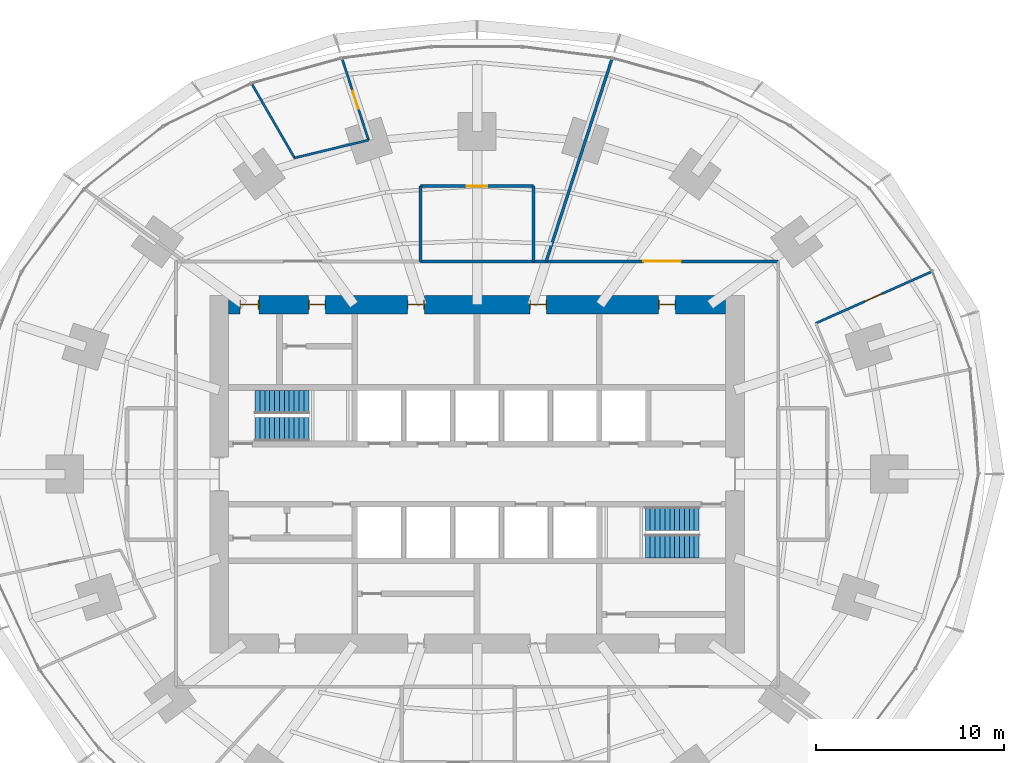
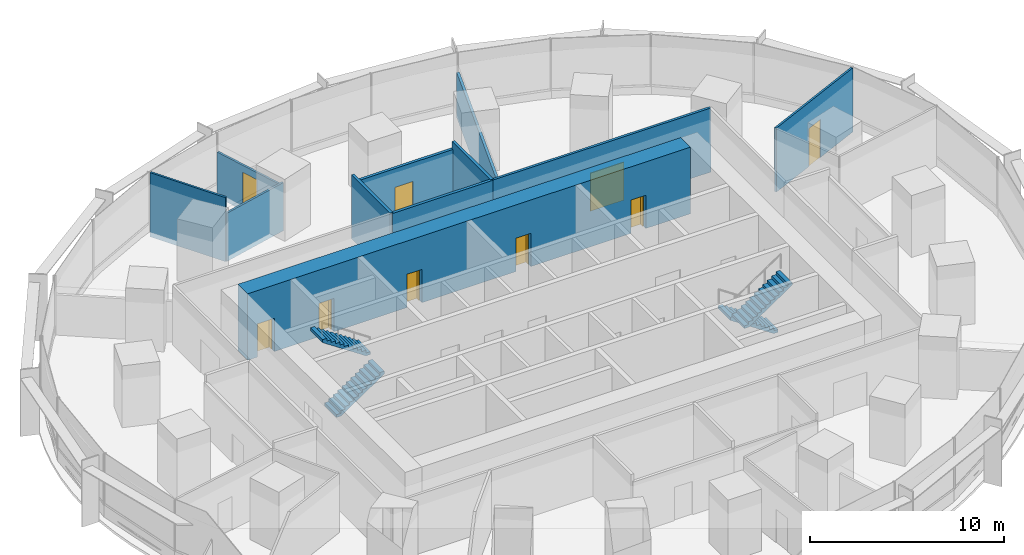
# One storey, part 13 of 15: 11 walls, 9 doors, 4 stair flights, 9 openings, 2 elements without a shape of their own.
"""IFC4 building model written with IfcOpenShell, lengths in metres."""

from ifc_helpers import new_model, si_unit, direction, frame, frame_2d, origin, place, context, subcontext, project, spatial, polyline, rectangle, outline, extrude, material, layer, layer_set, type_object, element, fill, aggregate, save


model = new_model("IFC4")

# Units and contexts
model_context = context("Model", 3, precision=1e-05, world=origin(), true_north=direction((0.0, 1.0)))
body_context = subcontext(model_context, "Body", "Model", "MODEL_VIEW")
ifc_project = project(units=[si_unit("LENGTHUNIT", "METRE"), si_unit("AREAUNIT", "SQUARE_METRE"), si_unit("VOLUMEUNIT", "CUBIC_METRE"), si_unit("PLANEANGLEUNIT", "RADIAN"), si_unit("MASSUNIT", "GRAM", prefix="KILO")], contexts=[model_context])

# Site, building, storey
site_placement = place(None, origin())
site = spatial("IfcSite", under=ifc_project, at=site_placement, CompositionType="ELEMENT")
building_placement = place(site_placement, origin())
building = spatial("IfcBuilding", under=site, at=building_placement, Name="Marramba Exchange Tower", CompositionType="ELEMENT")
storey_placement = place(building_placement, frame((0.0, 0.0, 70.0)))
storey = spatial("IfcBuildingStorey", under=building, at=storey_placement, Name="L16", CompositionType="ELEMENT", Elevation=70.0)

# Walls
ifc_material_1 = material(Name="Plasterboard on staggered double steel studs, acoustic insulation", Category="steel")
ifc_layer_1 = layer(ifc_material_1, 0.169921875)
ifc_layer_set_1 = layer_set([ifc_layer_1], Name="Acoustic partition 170")
wall_type_1 = type_object("IfcWallType", Name="Acoustic partition 170", PredefinedType="PARTITIONING", material=ifc_layer_set_1)
wall_1_placement = place(storey_placement, frame((3.0, 11.300048828125, 0.0), z_axis=(0.0, 0.0, 1.0), x_axis=(0.0, 1.0, 0.0)))
element("IfcWall", 1, at=wall_1_placement, inside=storey, type_object=wall_type_1, Name="Acoustic partition L16 30", PredefinedType="PARTITIONING", context=body_context, shape_type="SweptSolid", body=[
    extrude(rectangle(XDim=4.0, YDim=0.169921875, at=frame_2d((2.0, 0.0))), origin(), (0.0, 0.0, 1.0), 4.0400390625),
])
wall_2_placement = place(storey_placement, frame((-3.0, 11.300048828125, 0.0), z_axis=(0.0, 0.0, 1.0), x_axis=(1.0, 0.0, 0.0)))
element("IfcWall", 2, at=wall_2_placement, inside=storey, type_object=wall_type_1, Name="Acoustic partition L16 31", PredefinedType="PARTITIONING", context=body_context, shape_type="SweptSolid", body=[
    extrude(rectangle(XDim=6.0, YDim=0.169921875, at=frame_2d((3.0, 0.0))), origin(), (0.0, 0.0, 1.0), 4.0400390625),
])

# Wall, opening, door
wall_3_placement = place(storey_placement, frame((3.0, 15.300048828125, 0.0), z_axis=(0.0, 0.0, 1.0), x_axis=(-1.0, 0.0, 0.0)))
wall_3 = element("IfcWall", 3, at=wall_3_placement, inside=storey, type_object=wall_type_1, Name="Acoustic partition L16 32", PredefinedType="PARTITIONING", context=body_context, shape_type="SweptSolid", body=[
    extrude(rectangle(XDim=6.0, YDim=0.169921875, at=frame_2d((3.0, 0.0))), origin(), (0.0, 0.0, 1.0), 3.5859375),
])
opening_1_placement = place(wall_3_placement, frame((2.449951171875, 0.0, 0.0)))
opening_1 = element("IfcOpeningElement", 4, at=opening_1_placement, cuts=wall_3, Name="Opening D15", PredefinedType="OPENING", context=body_context, shape_type="SweptSolid", body=[
    extrude(rectangle(XDim=1.10009765625, YDim=2.39990234375, at=frame_2d((0.550048828125, 1.199951171875))), frame((0.0, 0.094970703125, 0.0), z_axis=(0.0, -1.0, 0.0), x_axis=(1.0, 0.0, 0.0)), (0.0, 0.0, 1.0), 0.18994140625),
])
ifc_material_2 = material(Name="Timber door", Category="wood")
door_type_1 = type_object("IfcDoorType", Name="Glazed meeting room door 1100x2400", OperationType="SINGLE_SWING_LEFT", PredefinedType="DOOR", material=ifc_material_2)
door_1_placement = place(opening_1_placement, origin())
door_1 = element("IfcDoor", 5, at=door_1_placement, inside=storey, type_object=door_type_1, Name="D15 Meeting Room 1 L16", OperationType="SINGLE_SWING_RIGHT", OverallHeight=2.39990234375, OverallWidth=1.10009765625, PredefinedType="DOOR", context=body_context, shape_type="SweptSolid", body=[
    extrude(rectangle(XDim=1.10009765625, YDim=2.39990234375, at=frame_2d((0.550048828125, 1.199951171875))), frame((0.0, 0.02490234375, 0.0), z_axis=(0.0, -1.0, 0.0), x_axis=(1.0, 0.0, 0.0)), (0.0, 0.0, 1.0), 0.050048828125),
])
fill(opening_1, door_1)

# Wall
wall_4_placement = place(storey_placement, frame((-3.0, 15.300048828125, 0.0), z_axis=(0.0, 0.0, 1.0), x_axis=(0.0, -1.0, 0.0)))
element("IfcWall", 6, at=wall_4_placement, inside=storey, type_object=wall_type_1, Name="Acoustic partition L16 33", PredefinedType="PARTITIONING", context=body_context, shape_type="SweptSolid", body=[
    extrude(rectangle(XDim=4.0, YDim=0.169921875, at=frame_2d((2.0, 0.0))), origin(), (0.0, 0.0, 1.0), 4.0400390625),
])

# Wall, openings, doors
ifc_material_3 = material(Name="Concrete N50", Category="concrete")
ifc_layer_2 = layer(ifc_material_3, 1.0)
ifc_layer_set_2 = layer_set([ifc_layer_2], Name="Core wall 1000")
wall_type_2 = type_object("IfcWallType", Name="Core wall 1000", PredefinedType="SHEAR", material=ifc_layer_set_2)
wall_5_placement = place(storey_placement, frame((13.199951171875, 9.0, 0.0), z_axis=(0.0, 0.0, 1.0), x_axis=(-1.0, 0.0, 0.0)))
wall_5 = element("IfcWall", 7, at=wall_5_placement, inside=storey, type_object=wall_type_2, Name="Core wall N L16", PredefinedType="SHEAR", context=body_context, shape_type="SweptSolid", body=[
    extrude(rectangle(XDim=26.39990234375, YDim=1.0, at=frame_2d((13.199951171875, 0.0))), origin(), (0.0, 0.0, 1.0), 4.199951171875),
])
opening_2_placement = place(wall_5_placement, frame((2.64990234375, 0.0, 0.0)))
opening_2 = element("IfcOpeningElement", 8, at=opening_2_placement, cuts=wall_5, Name="Opening D5", PredefinedType="OPENING", context=body_context, shape_type="SweptSolid", body=[
    extrude(rectangle(XDim=0.89990234375, YDim=2.10009765625, at=frame_2d((0.449951171875, 1.050048828125))), frame((0.0, 0.510009765625, 0.0), z_axis=(0.0, -1.0, 0.0), x_axis=(1.0, 0.0, 0.0)), (0.0, 0.0, 1.0), 1.02001953125),
])
opening_3_placement = place(wall_5_placement, frame((9.5, 0.0, 0.0)))
opening_3 = element("IfcOpeningElement", 9, at=opening_3_placement, cuts=wall_5, Name="Opening D3", PredefinedType="OPENING", context=body_context, shape_type="SweptSolid", body=[
    extrude(rectangle(XDim=0.89990234375, YDim=2.10009765625, at=frame_2d((0.449951171875, 1.050048828125))), frame((0.0, 0.510009765625, 0.0), z_axis=(0.0, -1.0, 0.0), x_axis=(1.0, 0.0, 0.0)), (0.0, 0.0, 1.0), 1.02001953125),
])
opening_4_placement = place(wall_5_placement, frame((16.0, 0.0, 0.0)))
opening_4 = element("IfcOpeningElement", 10, at=opening_4_placement, cuts=wall_5, Name="Opening D3", PredefinedType="OPENING", context=body_context, shape_type="SweptSolid", body=[
    extrude(rectangle(XDim=0.89990234375, YDim=2.10009765625, at=frame_2d((0.449951171875, 1.050048828125))), frame((0.0, 0.510009765625, 0.0), z_axis=(0.0, -1.0, 0.0), x_axis=(1.0, 0.0, 0.0)), (0.0, 0.0, 1.0), 1.02001953125),
])
opening_5_placement = place(wall_5_placement, frame((21.25, 0.0, 0.0)))
opening_5 = element("IfcOpeningElement", 11, at=opening_5_placement, cuts=wall_5, Name="Opening D5", PredefinedType="OPENING", context=body_context, shape_type="SweptSolid", body=[
    extrude(rectangle(XDim=0.89990234375, YDim=2.10009765625, at=frame_2d((0.449951171875, 1.050048828125))), frame((0.0, 0.510009765625, 0.0), z_axis=(0.0, -1.0, 0.0), x_axis=(1.0, 0.0, 0.0)), (0.0, 0.0, 1.0), 1.02001953125),
])
opening_6_placement = place(wall_5_placement, frame((24.800048828125, 0.0, 0.0)))
opening_6 = element("IfcOpeningElement", 12, at=opening_6_placement, cuts=wall_5, Name="Opening D4", PredefinedType="OPENING", context=body_context, shape_type="SweptSolid", body=[
    extrude(rectangle(XDim=1.0, YDim=2.10009765625, at=frame_2d((0.5, 1.050048828125))), frame((0.0, 0.510009765625, 0.0), z_axis=(0.0, -1.0, 0.0), x_axis=(1.0, 0.0, 0.0)), (0.0, 0.0, 1.0), 1.02001953125),
])
ifc_material_4 = material(Name="Steel-framed door", Category="steel")
door_type_2 = type_object("IfcDoorType", Name="Accessible toilet door 1000x2100", OperationType="SINGLE_SWING_LEFT", PredefinedType="DOOR", material=ifc_material_4)
door_2_placement = place(opening_6_placement, origin())
door_2 = element("IfcDoor", 13, at=door_2_placement, inside=storey, type_object=door_type_2, Name="D4 awc L16", OperationType="SINGLE_SWING_RIGHT", OverallHeight=2.10009765625, OverallWidth=1.0, PredefinedType="DOOR", context=body_context, shape_type="SweptSolid", body=[
    extrude(rectangle(XDim=0.919921875, YDim=2.06005859375, at=frame_2d((0.5, 1.030029296875))), frame((0.0, 0.02490234375, 0.0), z_axis=(0.0, -1.0, 0.0), x_axis=(1.0, 0.0, 0.0)), (0.0, 0.0, 1.0), 0.050048828125),
    extrude(rectangle(XDim=0.04, YDim=2.10009765625, at=frame_2d((0.02001953125, 1.050048828125))), frame((0.0, 0.25, 0.0), z_axis=(0.0, -1.0, 0.0), x_axis=(1.0, 0.0, 0.0)), (0.0, 0.0, 1.0), 0.5),
    extrude(rectangle(XDim=0.04, YDim=2.10009765625, at=frame_2d((0.97998046875, 1.050048828125))), frame((0.0, 0.25, 0.0), z_axis=(0.0, -1.0, 0.0), x_axis=(1.0, 0.0, 0.0)), (0.0, 0.0, 1.0), 0.5),
    extrude(rectangle(XDim=0.919921875, YDim=0.04, at=frame_2d((0.5, 2.080078125))), frame((0.0, 0.25, 0.0), z_axis=(0.0, -1.0, 0.0), x_axis=(1.0, 0.0, 0.0)), (0.0, 0.0, 1.0), 0.5),
])
fill(opening_6, door_2)
door_type_3 = type_object("IfcDoorType", Name="Service door 900x2100", OperationType="SINGLE_SWING_LEFT", PredefinedType="DOOR", material=ifc_material_4)
door_3_placement = place(opening_2_placement, origin())
door_3 = element("IfcDoor", 14, at=door_3_placement, inside=storey, type_object=door_type_3, Name="D5 comms L16", OperationType="SINGLE_SWING_LEFT", OverallHeight=2.10009765625, OverallWidth=0.89990234375, PredefinedType="DOOR", context=body_context, shape_type="SweptSolid", body=[
    extrude(rectangle(XDim=0.81982421875, YDim=2.06005859375, at=frame_2d((0.449951171875, 1.030029296875))), frame((0.0, 0.02490234375, 0.0), z_axis=(0.0, -1.0, 0.0), x_axis=(1.0, 0.0, 0.0)), (0.0, 0.0, 1.0), 0.050048828125),
    extrude(rectangle(XDim=0.04, YDim=2.10009765625, at=frame_2d((0.02001953125, 1.050048828125))), frame((0.0, 0.25, 0.0), z_axis=(0.0, -1.0, 0.0), x_axis=(1.0, 0.0, 0.0)), (0.0, 0.0, 1.0), 0.5),
    extrude(rectangle(XDim=0.04, YDim=2.10009765625, at=frame_2d((0.8798828125, 1.050048828125))), frame((0.0, 0.25, 0.0), z_axis=(0.0, -1.0, 0.0), x_axis=(1.0, 0.0, 0.0)), (0.0, 0.0, 1.0), 0.5),
    extrude(rectangle(XDim=0.81982421875, YDim=0.04, at=frame_2d((0.449951171875, 2.080078125))), frame((0.0, 0.25, 0.0), z_axis=(0.0, -1.0, 0.0), x_axis=(1.0, 0.0, 0.0)), (0.0, 0.0, 1.0), 0.5),
])
fill(opening_2, door_3)
door_4_placement = place(opening_5_placement, origin())
door_4 = element("IfcDoor", 15, at=door_4_placement, inside=storey, type_object=door_type_3, Name="D5 cleaner L16", OperationType="SINGLE_SWING_RIGHT", OverallHeight=2.10009765625, OverallWidth=0.89990234375, PredefinedType="DOOR", context=body_context, shape_type="SweptSolid", body=[
    extrude(rectangle(XDim=0.81982421875, YDim=2.06005859375, at=frame_2d((0.449951171875, 1.030029296875))), frame((0.0, 0.02490234375, 0.0), z_axis=(0.0, -1.0, 0.0), x_axis=(1.0, 0.0, 0.0)), (0.0, 0.0, 1.0), 0.050048828125),
    extrude(rectangle(XDim=0.04, YDim=2.10009765625, at=frame_2d((0.02001953125, 1.050048828125))), frame((0.0, 0.25, 0.0), z_axis=(0.0, -1.0, 0.0), x_axis=(1.0, 0.0, 0.0)), (0.0, 0.0, 1.0), 0.5),
    extrude(rectangle(XDim=0.04, YDim=2.10009765625, at=frame_2d((0.8798828125, 1.050048828125))), frame((0.0, 0.25, 0.0), z_axis=(0.0, -1.0, 0.0), x_axis=(1.0, 0.0, 0.0)), (0.0, 0.0, 1.0), 0.5),
    extrude(rectangle(XDim=0.81982421875, YDim=0.04, at=frame_2d((0.449951171875, 2.080078125))), frame((0.0, 0.25, 0.0), z_axis=(0.0, -1.0, 0.0), x_axis=(1.0, 0.0, 0.0)), (0.0, 0.0, 1.0), 0.5),
])
fill(opening_5, door_4)
door_type_4 = type_object("IfcDoorType", Name="Toilet door 900x2100", OperationType="SINGLE_SWING_LEFT", PredefinedType="DOOR", material=ifc_material_4)
door_5_placement = place(opening_3_placement, origin())
door_5 = element("IfcDoor", 16, at=door_5_placement, inside=storey, type_object=door_type_4, Name="D3 wc-f L16", OperationType="SINGLE_SWING_RIGHT", OverallHeight=2.10009765625, OverallWidth=0.89990234375, PredefinedType="DOOR", context=body_context, shape_type="SweptSolid", body=[
    extrude(rectangle(XDim=0.81982421875, YDim=2.06005859375, at=frame_2d((0.449951171875, 1.030029296875))), frame((0.0, 0.02490234375, 0.0), z_axis=(0.0, -1.0, 0.0), x_axis=(1.0, 0.0, 0.0)), (0.0, 0.0, 1.0), 0.050048828125),
    extrude(rectangle(XDim=0.04, YDim=2.10009765625, at=frame_2d((0.02001953125, 1.050048828125))), frame((0.0, 0.25, 0.0), z_axis=(0.0, -1.0, 0.0), x_axis=(1.0, 0.0, 0.0)), (0.0, 0.0, 1.0), 0.5),
    extrude(rectangle(XDim=0.04, YDim=2.10009765625, at=frame_2d((0.8798828125, 1.050048828125))), frame((0.0, 0.25, 0.0), z_axis=(0.0, -1.0, 0.0), x_axis=(1.0, 0.0, 0.0)), (0.0, 0.0, 1.0), 0.5),
    extrude(rectangle(XDim=0.81982421875, YDim=0.04, at=frame_2d((0.449951171875, 2.080078125))), frame((0.0, 0.25, 0.0), z_axis=(0.0, -1.0, 0.0), x_axis=(1.0, 0.0, 0.0)), (0.0, 0.0, 1.0), 0.5),
])
fill(opening_3, door_5)
door_6_placement = place(opening_4_placement, origin())
door_6 = element("IfcDoor", 17, at=door_6_placement, inside=storey, type_object=door_type_4, Name="D3 wc-m L16", OperationType="SINGLE_SWING_RIGHT", OverallHeight=2.10009765625, OverallWidth=0.89990234375, PredefinedType="DOOR", context=body_context, shape_type="SweptSolid", body=[
    extrude(rectangle(XDim=0.81982421875, YDim=2.06005859375, at=frame_2d((0.449951171875, 1.030029296875))), frame((0.0, 0.02490234375, 0.0), z_axis=(0.0, -1.0, 0.0), x_axis=(1.0, 0.0, 0.0)), (0.0, 0.0, 1.0), 0.050048828125),
    extrude(rectangle(XDim=0.04, YDim=2.10009765625, at=frame_2d((0.02001953125, 1.050048828125))), frame((0.0, 0.25, 0.0), z_axis=(0.0, -1.0, 0.0), x_axis=(1.0, 0.0, 0.0)), (0.0, 0.0, 1.0), 0.5),
    extrude(rectangle(XDim=0.04, YDim=2.10009765625, at=frame_2d((0.8798828125, 1.050048828125))), frame((0.0, 0.25, 0.0), z_axis=(0.0, -1.0, 0.0), x_axis=(1.0, 0.0, 0.0)), (0.0, 0.0, 1.0), 0.5),
    extrude(rectangle(XDim=0.81982421875, YDim=0.04, at=frame_2d((0.449951171875, 2.080078125))), frame((0.0, 0.25, 0.0), z_axis=(0.0, -1.0, 0.0), x_axis=(1.0, 0.0, 0.0)), (0.0, 0.0, 1.0), 0.5),
])
fill(opening_4, door_6)

# Wall, opening, door
ifc_material_5 = material(Name="Plasterboard on steel studs", Category="steel")
ifc_layer_3 = layer(ifc_material_5, 0.1201171875)
ifc_layer_set_3 = layer_set([ifc_layer_3], Name="Partition 120")
wall_type_3 = type_object("IfcWallType", Name="Partition 120", PredefinedType="PARTITIONING", material=ifc_layer_set_3)
wall_6_placement = place(storey_placement, frame((24.12353515625, 10.740478515625, 0.0), z_axis=(0.0, 0.0, 1.0), x_axis=(-0.91354990356, -0.406726657235, 0.0)))
wall_6 = element("IfcWall", 18, at=wall_6_placement, inside=storey, type_object=wall_type_3, Name="Partition L16 26", PredefinedType="PARTITIONING", context=body_context, shape_type="SweptSolid", body=[
    extrude(rectangle(XDim=6.699951171875, YDim=0.1201171875, at=frame_2d((3.35009765625, 0.0))), origin(), (0.0, 0.0, 1.0), 4.0400390625),
])
opening_7_placement = place(wall_6_placement, frame((2.85009765625, 0.0, 0.0)))
opening_7 = element("IfcOpeningElement", 19, at=opening_7_placement, cuts=wall_6, Name="Opening D9", PredefinedType="OPENING", context=body_context, shape_type="SweptSolid", body=[
    extrude(rectangle(XDim=1.0, YDim=2.39990234375, at=frame_2d((0.5, 1.199951171875))), frame((0.0, 0.070068359375, 0.0), z_axis=(0.0, -1.0, 0.0), x_axis=(1.0, 0.0, 0.0)), (0.0, 0.0, 1.0), 0.14013671875),
])
door_type_5 = type_object("IfcDoorType", Name="Room door 1000x2400", OperationType="SINGLE_SWING_LEFT", PredefinedType="DOOR", material=ifc_material_2)
door_7_placement = place(opening_7_placement, origin())
door_7 = element("IfcDoor", 20, at=door_7_placement, inside=storey, type_object=door_type_5, Name="D9 Firm Principal Office 4 L16", OperationType="SINGLE_SWING_RIGHT", OverallHeight=2.39990234375, OverallWidth=1.0, PredefinedType="DOOR", context=body_context, shape_type="SweptSolid", body=[
    extrude(rectangle(XDim=1.0, YDim=2.39990234375, at=frame_2d((0.5, 1.199951171875))), frame((0.0, 0.02490234375, 0.0), z_axis=(0.0, -1.0, 0.0), x_axis=(1.0, 0.0, 0.0)), (0.0, 0.0, 1.0), 0.050048828125),
])
fill(opening_7, door_7)

wall_7_placement = place(storey_placement, frame((-5.76611328125, 17.74658203125, 0.0), z_axis=(0.0, 0.0, 1.0), x_axis=(-0.309024734286, 0.951054001411, 0.0)))
wall_7 = element("IfcWall", 21, at=wall_7_placement, inside=storey, type_object=wall_type_3, Name="Partition L16 34", PredefinedType="PARTITIONING", context=body_context, shape_type="SweptSolid", body=[
    extrude(rectangle(XDim=4.5, YDim=0.1201171875, at=frame_2d((2.25, 0.0))), origin(), (0.0, 0.0, 1.0), 2.840087890625),
])
opening_8_placement = place(wall_7_placement, frame((1.75, 0.0, 0.0)))
opening_8 = element("IfcOpeningElement", 22, at=opening_8_placement, cuts=wall_7, Name="Opening D9", PredefinedType="OPENING", context=body_context, shape_type="SweptSolid", body=[
    extrude(rectangle(XDim=1.0, YDim=2.39990234375, at=frame_2d((0.5, 1.199951171875))), frame((0.0, 0.070068359375, 0.0), z_axis=(0.0, -1.0, 0.0), x_axis=(1.0, 0.0, 0.0)), (0.0, 0.0, 1.0), 0.14013671875),
])
door_8_placement = place(opening_8_placement, origin())
door_8 = element("IfcDoor", 23, at=door_8_placement, inside=storey, type_object=door_type_5, Name="D9 Firm Principal Office 1 L16", OperationType="SINGLE_SWING_LEFT", OverallHeight=2.39990234375, OverallWidth=1.0, PredefinedType="DOOR", context=body_context, shape_type="SweptSolid", body=[
    extrude(rectangle(XDim=1.0, YDim=2.39990234375, at=frame_2d((0.5, 1.199951171875))), frame((0.0, 0.02490234375, 0.0), z_axis=(0.0, -1.0, 0.0), x_axis=(1.0, 0.0, 0.0)), (0.0, 0.0, 1.0), 0.050048828125),
])
fill(opening_8, door_8)

# Walls
wall_8_placement = place(storey_placement, frame((-9.69921875, 16.7998046875, 0.0), z_axis=(0.0, 0.0, 1.0), x_axis=(0.972228214525, 0.23403482408, 0.0)))
element("IfcWall", 24, at=wall_8_placement, inside=storey, type_object=wall_type_3, Name="Partition L16 35", PredefinedType="PARTITIONING", context=body_context, shape_type="SweptSolid", body=[
    extrude(rectangle(XDim=4.04541015625, YDim=0.1201171875, at=frame_2d((2.022705078125, 0.0))), origin(), (0.0, 0.0, 1.0), 3.0400390625),
])
wall_9_placement = place(storey_placement, frame((-11.94921875, 20.69677734375, 0.0), z_axis=(0.0, 0.0, 1.0), x_axis=(0.500013631625, -0.866017533419, 0.0)))
element("IfcWall", 25, at=wall_9_placement, inside=storey, type_object=wall_type_3, Name="Partition L16 36", PredefinedType="PARTITIONING", context=body_context, shape_type="SweptSolid", body=[
    extrude(rectangle(XDim=4.499755859375, YDim=0.1201171875, at=frame_2d((2.25, 0.0))), origin(), (0.0, 0.0, 1.0), 4.0400390625),
])

# Wall, opening, door
ifc_material_6 = material(Name="Fire-rated plasterboard on steel studs, acoustic insulation", Category="steel")
ifc_layer_4 = layer(ifc_material_6, 0.14990234375)
ifc_layer_set_4 = layer_set([ifc_layer_4], Name="Tenancy wall 150")
wall_type_4 = type_object("IfcWallType", Name="Tenancy wall 150", PredefinedType="PARTITIONING", material=ifc_layer_set_4)
wall_10_placement = place(storey_placement, frame((16.0, 11.300048828125, 0.0), z_axis=(0.0, 0.0, 1.0), x_axis=(-1.0, 0.0, 0.0)))
wall_10 = element("IfcWall", 26, at=wall_10_placement, inside=storey, type_object=wall_type_4, Name="Tenancy wall L16 28", PredefinedType="PARTITIONING", context=body_context, shape_type="SweptSolid", body=[
    extrude(rectangle(XDim=13.0, YDim=0.14990234375, at=frame_2d((6.5, 0.0))), origin(), (0.0, 0.0, 1.0), 4.0400390625),
])
opening_9_placement = place(wall_10_placement, frame((5.1640625, 0.0, 0.0)))
opening_9 = element("IfcOpeningElement", 27, at=opening_9_placement, cuts=wall_10, Name="Opening D17", PredefinedType="OPENING", context=body_context, shape_type="SweptSolid", body=[
    extrude(rectangle(XDim=2.0, YDim=2.39990234375, at=frame_2d((1.0, 1.199951171875))), frame((0.0, 0.0849609375, 0.0), z_axis=(0.0, -1.0, 0.0), x_axis=(1.0, 0.0, 0.0)), (0.0, 0.0, 1.0), 0.169921875),
])
door_type_6 = type_object("IfcDoorType", Name="Trading floor entry door pair 2000x2400", OperationType="DOUBLE_DOOR_SINGLE_SWING", PredefinedType="DOOR", material=ifc_material_4)
door_9_placement = place(opening_9_placement, origin())
door_9 = element("IfcDoor", 28, at=door_9_placement, inside=storey, type_object=door_type_6, Name="D17 Trading Floor 4 L16", OperationType="DOUBLE_DOOR_SINGLE_SWING", OverallHeight=2.39990234375, OverallWidth=2.0, PredefinedType="DOOR", context=body_context, shape_type="SweptSolid", body=[
    extrude(rectangle(XDim=2.0, YDim=2.39990234375, at=frame_2d((1.0, 1.199951171875))), frame((0.0, 0.02490234375, 0.0), z_axis=(0.0, -1.0, 0.0), x_axis=(1.0, 0.0, 0.0)), (0.0, 0.0, 1.0), 0.050048828125),
])
fill(opening_9, door_9)

# Wall
wall_11_placement = place(storey_placement, frame((7.15673828125, 22.0263671875, 0.0), z_axis=(0.0, 0.0, 1.0), x_axis=(-0.309010203018, -0.951058722914, 0.0)))
element("IfcWall", 29, at=wall_11_placement, inside=storey, type_object=wall_type_4, Name="Tenancy wall L16 29", PredefinedType="PARTITIONING", context=body_context, shape_type="SweptSolid", body=[
    extrude(rectangle(XDim=11.2783203125, YDim=0.14990234375, at=frame_2d((5.63916015625, 0.0))), origin(), (0.0, 0.0, 1.0), 2.840087890625),
])

# Stair, stair flights
ifc_material_7 = material(Name="Concrete N40 (40 MPa)", Category="concrete")
stair_type_1 = type_object("IfcStairType", Name="Exit stair ST1 4200 x 1250", PredefinedType="HALF_TURN_STAIR", material=ifc_material_7)
stair_1_placement = place(storey_placement, origin())
stair_1 = element("IfcStair", 30, at=stair_1_placement, inside=storey, type_object=stair_type_1, Name="Exit stair ST1 L16", PredefinedType="HALF_TURN_STAIR")
stair_flight_type_1 = type_object("IfcStairFlightType", Name="ST1 stair flight 1750 riser 1250 wide", PredefinedType="STRAIGHT", material=ifc_material_7)
stair_flight_1_placement = place(storey_placement, frame((-11.800048828125, 2.375, 0.0), z_axis=(0.0, 0.0, 1.0), x_axis=(1.0, 0.0, 0.0)))
stair_flight_1 = element("IfcStairFlight", 31, at=stair_flight_1_placement, type_object=stair_flight_type_1, Name="ST1 flight 1", NumberOfRisers=12, NumberOfTreads=11, PredefinedType="STRAIGHT", RiserHeight=0.175, TreadLength=0.26, context=body_context, shape_type="SweptSolid", body=[
    extrude(outline(polyline([(0.0, 0.0), (0.0, 0.175048828125), (0.260009765625, 0.175048828125), (0.260009765625, 0.35009765625), (0.52001953125, 0.35009765625), (0.52001953125, 0.52490234375), (0.780029296875, 0.52490234375), (0.780029296875, 0.699951171875), (1.0400390625, 0.699951171875), (1.0400390625, 0.875), (1.300048828125, 0.875), (1.300048828125, 1.050048828125), (1.56005859375, 1.050048828125), (1.56005859375, 1.22509765625), (1.820068359375, 1.22509765625), (1.820068359375, 1.39990234375), (2.080078125, 1.39990234375), (2.080078125, 1.574951171875), (2.340087890625, 1.574951171875), (2.340087890625, 1.75), (2.60009765625, 1.75), (2.60009765625, 1.925048828125), (2.860107421875, 1.925048828125), (2.860107421875, 2.10009765625), (2.860107421875, 1.744384765625), (0.2685546875, 0.0), (0.0, 0.0)])), frame((0.0, 0.625, 0.0), z_axis=(0.0, -1.0, 0.0), x_axis=(1.0, 0.0, 0.0)), (0.0, 0.0, 1.0), 1.25),
])
stair_flight_2_placement = place(storey_placement, frame((-8.93994140625, 3.824951171875, 2.10009765625), z_axis=(0.0, 0.0, 1.0), x_axis=(-1.0, 0.0, 0.0)))
stair_flight_2 = element("IfcStairFlight", 32, at=stair_flight_2_placement, type_object=stair_flight_type_1, Name="ST1 flight 2", NumberOfRisers=12, NumberOfTreads=11, PredefinedType="STRAIGHT", RiserHeight=0.175, TreadLength=0.26, context=body_context, shape_type="SweptSolid", body=[
    extrude(outline(polyline([(0.0, 0.0), (0.0, 0.175048828125), (0.260009765625, 0.175048828125), (0.260009765625, 0.35009765625), (0.52001953125, 0.35009765625), (0.52001953125, 0.52490234375), (0.780029296875, 0.52490234375), (0.780029296875, 0.699951171875), (1.0400390625, 0.699951171875), (1.0400390625, 0.875), (1.300048828125, 0.875), (1.300048828125, 1.050048828125), (1.56005859375, 1.050048828125), (1.56005859375, 1.22509765625), (1.820068359375, 1.22509765625), (1.820068359375, 1.39990234375), (2.080078125, 1.39990234375), (2.080078125, 1.574951171875), (2.340087890625, 1.574951171875), (2.340087890625, 1.75), (2.60009765625, 1.75), (2.60009765625, 1.925048828125), (2.860107421875, 1.925048828125), (2.860107421875, 2.10009765625), (2.860107421875, 1.744384765625), (0.2685546875, 0.0), (0.0, 0.0)])), frame((0.0, 0.625, 0.0), z_axis=(0.0, -1.0, 0.0), x_axis=(1.0, 0.0, 0.0)), (0.0, 0.0, 1.0), 1.25),
])
aggregate(stair_1, [stair_flight_1, stair_flight_2])

stair_type_2 = type_object("IfcStairType", Name="Exit stair ST2 4200 x 1250", PredefinedType="HALF_TURN_STAIR", material=ifc_material_7)
stair_2_placement = place(storey_placement, origin())
stair_2 = element("IfcStair", 33, at=stair_2_placement, inside=storey, type_object=stair_type_2, Name="Exit stair ST2 L16", PredefinedType="HALF_TURN_STAIR")
stair_flight_type_2 = type_object("IfcStairFlightType", Name="ST2 stair flight 1750 riser 1250 wide", PredefinedType="STRAIGHT", material=ifc_material_7)
stair_flight_3_placement = place(storey_placement, frame((11.800048828125, -2.375, 0.0), z_axis=(0.0, 0.0, 1.0), x_axis=(-1.0, 0.0, 0.0)))
stair_flight_3 = element("IfcStairFlight", 34, at=stair_flight_3_placement, type_object=stair_flight_type_2, Name="ST2 flight 1", NumberOfRisers=12, NumberOfTreads=11, PredefinedType="STRAIGHT", RiserHeight=0.175, TreadLength=0.26, context=body_context, shape_type="SweptSolid", body=[
    extrude(outline(polyline([(0.0, 0.0), (0.0, 0.175048828125), (0.260009765625, 0.175048828125), (0.260009765625, 0.35009765625), (0.52001953125, 0.35009765625), (0.52001953125, 0.52490234375), (0.780029296875, 0.52490234375), (0.780029296875, 0.699951171875), (1.0400390625, 0.699951171875), (1.0400390625, 0.875), (1.300048828125, 0.875), (1.300048828125, 1.050048828125), (1.56005859375, 1.050048828125), (1.56005859375, 1.22509765625), (1.820068359375, 1.22509765625), (1.820068359375, 1.39990234375), (2.080078125, 1.39990234375), (2.080078125, 1.574951171875), (2.340087890625, 1.574951171875), (2.340087890625, 1.75), (2.60009765625, 1.75), (2.60009765625, 1.925048828125), (2.860107421875, 1.925048828125), (2.860107421875, 2.10009765625), (2.860107421875, 1.744384765625), (0.2685546875, 0.0), (0.0, 0.0)])), frame((0.0, 0.625, 0.0), z_axis=(0.0, -1.0, 0.0), x_axis=(1.0, 0.0, 0.0)), (0.0, 0.0, 1.0), 1.25),
])
stair_flight_4_placement = place(storey_placement, frame((8.93994140625, -3.824951171875, 2.10009765625), z_axis=(0.0, 0.0, 1.0), x_axis=(1.0, 0.0, 0.0)))
stair_flight_4 = element("IfcStairFlight", 35, at=stair_flight_4_placement, type_object=stair_flight_type_2, Name="ST2 flight 2", NumberOfRisers=12, NumberOfTreads=11, PredefinedType="STRAIGHT", RiserHeight=0.175, TreadLength=0.26, context=body_context, shape_type="SweptSolid", body=[
    extrude(outline(polyline([(0.0, 0.0), (0.0, 0.175048828125), (0.260009765625, 0.175048828125), (0.260009765625, 0.35009765625), (0.52001953125, 0.35009765625), (0.52001953125, 0.52490234375), (0.780029296875, 0.52490234375), (0.780029296875, 0.699951171875), (1.0400390625, 0.699951171875), (1.0400390625, 0.875), (1.300048828125, 0.875), (1.300048828125, 1.050048828125), (1.56005859375, 1.050048828125), (1.56005859375, 1.22509765625), (1.820068359375, 1.22509765625), (1.820068359375, 1.39990234375), (2.080078125, 1.39990234375), (2.080078125, 1.574951171875), (2.340087890625, 1.574951171875), (2.340087890625, 1.75), (2.60009765625, 1.75), (2.60009765625, 1.925048828125), (2.860107421875, 1.925048828125), (2.860107421875, 2.10009765625), (2.860107421875, 1.744384765625), (0.2685546875, 0.0), (0.0, 0.0)])), frame((0.0, 0.625, 0.0), z_axis=(0.0, -1.0, 0.0), x_axis=(1.0, 0.0, 0.0)), (0.0, 0.0, 1.0), 1.25),
])
aggregate(stair_2, [stair_flight_3, stair_flight_4])

save(model, "model.ifc")
